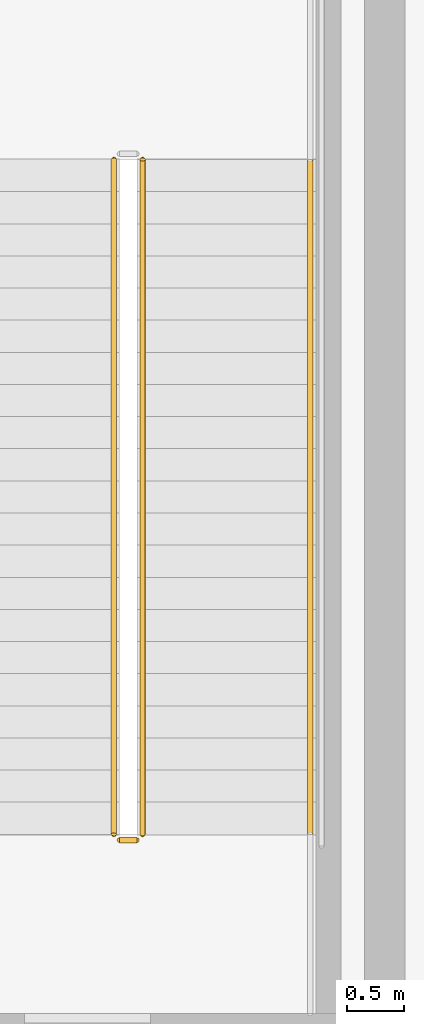
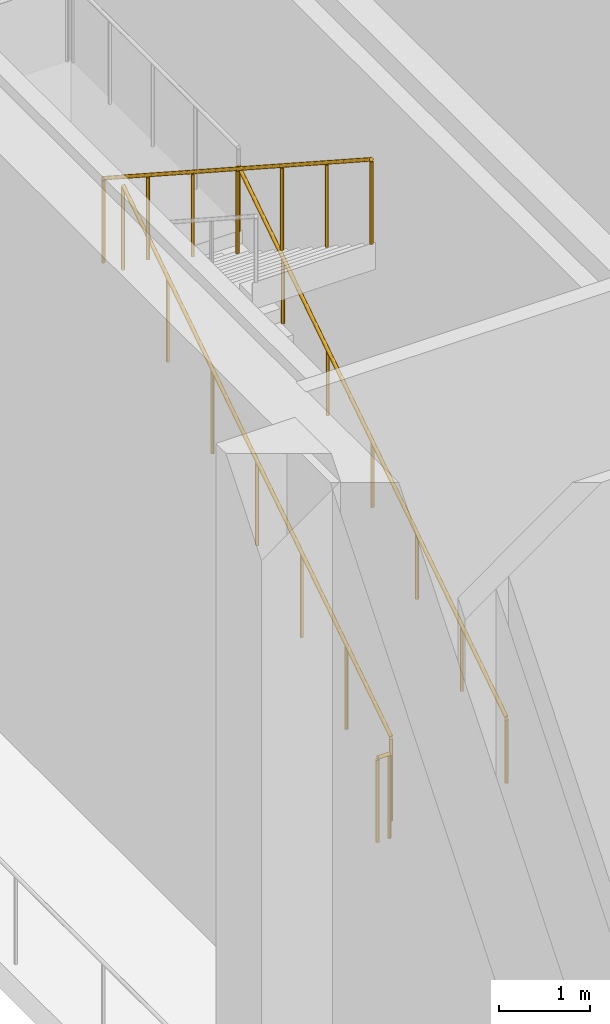
# One storey, part 8 of 12: 4 railings.
"""IFC4 building model written with IfcOpenShell, lengths in metres."""

from ifc_helpers import new_model, si_unit, direction, frame, origin, origin_2d, place, context, subcontext, project, spatial, circle, extrude, material, type_object, element, save


model = new_model("IFC4")

# Units and contexts
model_context = context("Model", 3, precision=1e-05, world=origin(), true_north=direction((0.0, 1.0)))
body_context = subcontext(model_context, "Body", "Model", "MODEL_VIEW")
ifc_project = project(units=[si_unit("LENGTHUNIT", "METRE"), si_unit("AREAUNIT", "SQUARE_METRE"), si_unit("VOLUMEUNIT", "CUBIC_METRE"), si_unit("PLANEANGLEUNIT", "RADIAN"), si_unit("MASSUNIT", "GRAM", prefix="KILO")], contexts=[model_context])

# Site, building, storey
site_placement = place(None, origin())
site = spatial("IfcSite", under=ifc_project, at=site_placement, CompositionType="ELEMENT")
building_placement = place(site_placement, origin())
building = spatial("IfcBuilding", under=site, at=building_placement, Name="Khairoan Windgate Tower", CompositionType="ELEMENT")
storey_placement = place(building_placement, frame((0.0, 0.0, 214.39990234375)))
storey = spatial("IfcBuildingStorey", under=building, at=storey_placement, Name="L50", CompositionType="ELEMENT", Elevation=214.39990234375)

# Railings
ifc_material_1 = material(Name="Anodised Bronze Aluminium 6063-T6", Category="aluminium")
railing_type_1 = type_object("IfcRailingType", Name="Stair Wall Handrail SHR-900", PredefinedType="HANDRAIL", material=ifc_material_1)
railing_1_placement = place(storey_placement, frame((-16.199951171875, 2.9599609375, 0.181884765625)))
element("IfcRailing", 1, at=railing_1_placement, inside=storey, type_object=railing_type_1, Name="L50 ST2 stair handrail 1", PredefinedType="HANDRAIL", context=body_context, shape_type="SweptSolid", body=[
    extrude(circle(Radius=0.02392578125, at=origin_2d()), frame((0.0, 0.0, 0.8759765625), z_axis=(0.0, 0.838702090377, 0.544590491651), x_axis=(-1.0, 0.0, 0.0)), (0.0, 0.0, 1.0), 7.010986328125),
    extrude(circle(Radius=0.02099609375, at=origin_2d()), origin(), (0.0, 0.0, 1.0), 0.851806640625),
    extrude(circle(Radius=0.02099609375, at=origin_2d()), frame((0.0, 0.97998046875, 0.63623046875)), (0.0, 0.0, 1.0), 0.851806640625),
    extrude(circle(Radius=0.02099609375, at=origin_2d()), frame((0.0, 1.9599609375, 1.272705078125)), (0.0, 0.0, 1.0), 0.851806640625),
    extrude(circle(Radius=0.02099609375, at=origin_2d()), frame((0.0, 2.93994140625, 1.9091796875)), (0.0, 0.0, 1.0), 0.851806640625),
    extrude(circle(Radius=0.02099609375, at=origin_2d()), frame((0.0, 3.920166015625, 2.54541015625)), (0.0, 0.0, 1.0), 0.851806640625),
    extrude(circle(Radius=0.02099609375, at=origin_2d()), frame((0.0, 4.900146484375, 3.181640625)), (0.0, 0.0, 1.0), 0.851806640625),
    extrude(circle(Radius=0.02099609375, at=origin_2d()), frame((0.0, 5.880126953125, 3.818115234375)), (0.0, 0.0, 1.0), 0.851806640625),
])
ifc_material_2 = material(Name="Steel S355", Category="steel")
railing_type_2 = type_object("IfcRailingType", Name="Stairwell Safety Guardrail SGR-1150", PredefinedType="GUARDRAIL", material=ifc_material_2)
railing_2_placement = place(storey_placement, frame((-17.659912109375, 2.9599609375, 0.181884765625)))
element("IfcRailing", 2, at=railing_2_placement, inside=storey, type_object=railing_type_2, Name="L50 ST2 stair guard 1", PredefinedType="GUARDRAIL", context=body_context, shape_type="SweptSolid", body=[
    extrude(circle(Radius=0.02392578125, at=origin_2d()), frame((0.0, 0.0, 1.1259765625), z_axis=(0.0, 0.838702090377, 0.544590491651), x_axis=(-1.0, 0.0, 0.0)), (0.0, 0.0, 1.0), 7.010986328125),
    extrude(circle(Radius=0.02099609375, at=origin_2d()), origin(), (0.0, 0.0, 1.0), 1.101806640625),
    extrude(circle(Radius=0.02099609375, at=origin_2d()), frame((0.0, 0.97998046875, 0.63623046875)), (0.0, 0.0, 1.0), 1.101806640625),
    extrude(circle(Radius=0.02099609375, at=origin_2d()), frame((0.0, 1.9599609375, 1.272705078125)), (0.0, 0.0, 1.0), 1.101806640625),
    extrude(circle(Radius=0.02099609375, at=origin_2d()), frame((0.0, 2.93994140625, 1.9091796875)), (0.0, 0.0, 1.0), 1.101806640625),
    extrude(circle(Radius=0.02099609375, at=origin_2d()), frame((0.0, 3.920166015625, 2.54541015625)), (0.0, 0.0, 1.0), 1.101806640625),
    extrude(circle(Radius=0.02099609375, at=origin_2d()), frame((0.0, 4.900146484375, 3.181640625)), (0.0, 0.0, 1.0), 1.101806640625),
    extrude(circle(Radius=0.02099609375, at=origin_2d()), frame((0.0, 5.880126953125, 3.818115234375)), (0.0, 0.0, 1.0), 1.101806640625),
])
railing_3_placement = place(storey_placement, frame((-17.909912109375, 8.840087890625, 4.181884765625)))
element("IfcRailing", 3, at=railing_3_placement, inside=storey, type_object=railing_type_2, Name="L50 ST2 stair guard 6", PredefinedType="GUARDRAIL", context=body_context, shape_type="SweptSolid", body=[
    extrude(circle(Radius=0.02392578125, at=origin_2d()), frame((0.0, 0.0, 1.1259765625), z_axis=(0.0, -0.838702090377, 0.544590491651), x_axis=(1.0, 0.0, 0.0)), (0.0, 0.0, 1.0), 7.010986328125),
    extrude(circle(Radius=0.02099609375, at=origin_2d()), origin(), (0.0, 0.0, 1.0), 1.101806640625),
    extrude(circle(Radius=0.02099609375, at=origin_2d()), frame((0.0, -0.97998046875, 0.63623046875)), (0.0, 0.0, 1.0), 1.101806640625),
    extrude(circle(Radius=0.02099609375, at=origin_2d()), frame((0.0, -1.9599609375, 1.272705078125)), (0.0, 0.0, 1.0), 1.101806640625),
    extrude(circle(Radius=0.02099609375, at=origin_2d()), frame((0.0, -2.93994140625, 1.9091796875)), (0.0, 0.0, 1.0), 1.101806640625),
    extrude(circle(Radius=0.02099609375, at=origin_2d()), frame((0.0, -3.920166015625, 2.54541015625)), (0.0, 0.0, 1.0), 1.101806640625),
    extrude(circle(Radius=0.02099609375, at=origin_2d()), frame((0.0, -4.900146484375, 3.181640625)), (0.0, 0.0, 1.0), 1.101806640625),
    extrude(circle(Radius=0.02099609375, at=origin_2d()), frame((0.0, -5.880126953125, 3.818115234375)), (0.0, 0.0, 1.0), 1.101806640625),
])
railing_4_placement = place(storey_placement, frame((-17.7099609375, 2.909912109375, 0.0)))
element("IfcRailing", 4, at=railing_4_placement, inside=storey, type_object=railing_type_2, Name="L50 ST2 stair guard 7", PredefinedType="GUARDRAIL", context=body_context, shape_type="SweptSolid", body=[
    extrude(circle(Radius=0.02392578125, at=origin_2d()), frame((0.0, 0.0, 1.1259765625), z_axis=(-1.0, 0.0, 0.0), x_axis=(0.0, -1.0, 0.0)), (0.0, 0.0, 1.0), 0.150146484375),
    extrude(circle(Radius=0.02099609375, at=origin_2d()), origin(), (0.0, 0.0, 1.0), 1.101806640625),
    extrude(circle(Radius=0.02099609375, at=origin_2d()), frame((-0.150146484375, 0.0, 0.0)), (0.0, 0.0, 1.0), 1.101806640625),
])

save(model, "model.ifc")
